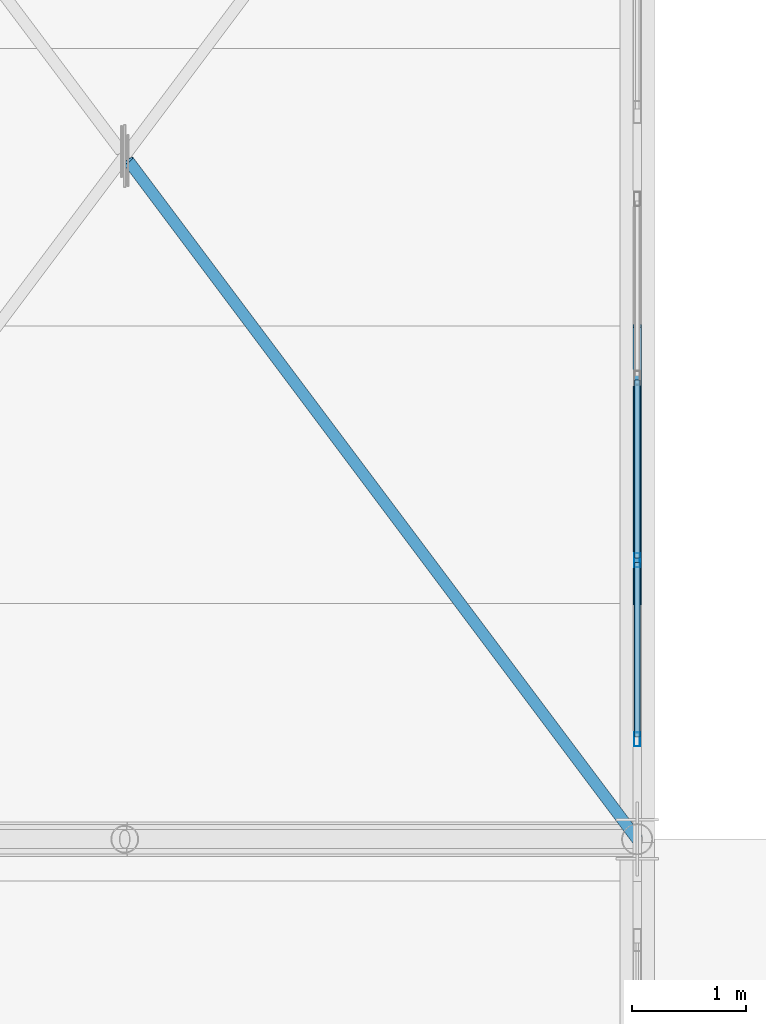
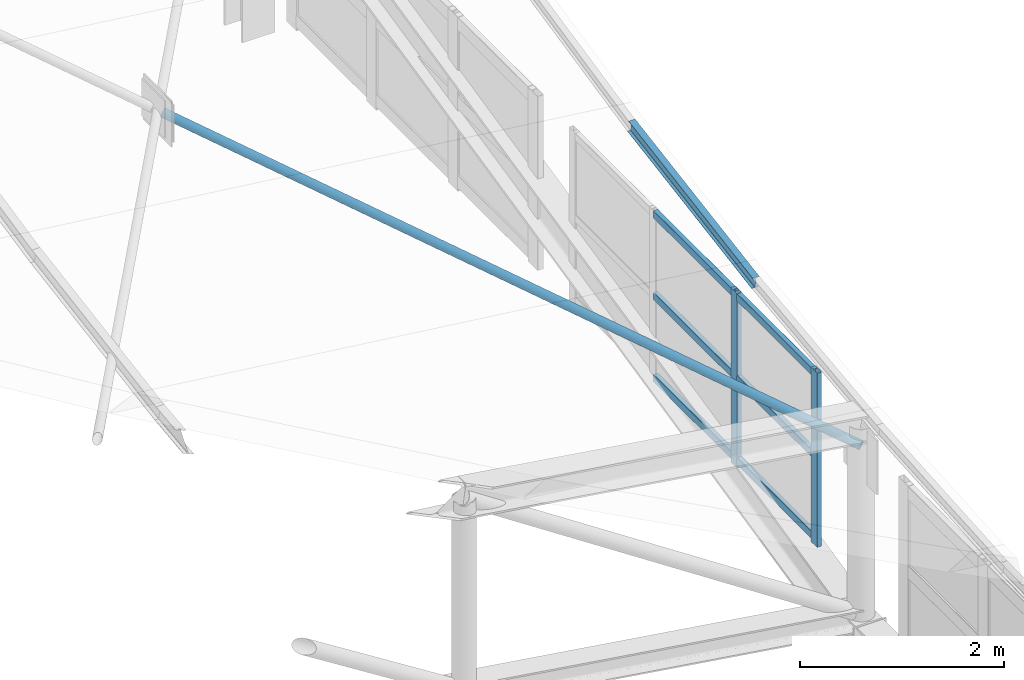
# One storey, part 124 of 262: 10 members, 1 element without a shape of its own.
"""IFC4 building model written with IfcOpenShell, lengths in metres."""

from ifc_helpers import new_model, si_unit, derived_unit, direction, frame, origin, origin_2d, place, context, subcontext, project, spatial, hollow_rectangle, hollow_circle, i_section, extrude, material, layer, layer_set, material_profile, profile_set, type_object, element, aggregate, save


model = new_model("IFC4")

# Units and contexts
model_context = context("Model", 3, precision=1e-05, world=origin(), true_north=direction((0.0, 1.0)))
body_context = subcontext(model_context, "Body", "Model", "MODEL_VIEW")
ifc_project = project(units=[si_unit("LENGTHUNIT", "METRE"), si_unit("AREAUNIT", "SQUARE_METRE"), si_unit("VOLUMEUNIT", "CUBIC_METRE"), si_unit("PLANEANGLEUNIT", "RADIAN"), si_unit("MASSUNIT", "GRAM", prefix="KILO"), derived_unit("THERMALTRANSMITTANCEUNIT", [(si_unit("POWERUNIT", "WATT"), 1), (si_unit("LENGTHUNIT", "METRE"), -2), (si_unit("THERMODYNAMICTEMPERATUREUNIT", "KELVIN"), -1)])], contexts=[model_context])

# Site, building, storey
site_placement = place(None, origin())
site = spatial("IfcSite", under=ifc_project, at=site_placement, CompositionType="ELEMENT")
building_placement = place(site_placement, origin())
building = spatial("IfcBuilding", under=site, at=building_placement, Name="Almenara Railside Exhibition Hall", CompositionType="ELEMENT")
storey_placement = place(building_placement, frame((0.0, 0.0, 21.699951171875)))
storey = spatial("IfcBuildingStorey", under=building, at=storey_placement, Name="RF", CompositionType="ELEMENT", Elevation=21.699951171875)

# Member
ifc_material_1 = material(Name="Structural steel S355JR", Category="steel")
ifc_material_profile_1 = material_profile(ifc_material_1, i_section(OverallWidth=0.072998046875, OverallDepth=0.139892578125, WebThickness=0.004638671875, FlangeThickness=0.0068359375, FilletRadius=0.007080078125, at=origin_2d()), Name="IPE 140")
ifc_profile_set_1 = profile_set([ifc_material_profile_1], Name="Structural steel S355JR")
member_type_1 = type_object("IfcMemberType", Name="Canopy Edge Purlin IPE 140 S355JR", PredefinedType="PURLIN", material=ifc_profile_set_1)
member_1_placement = place(storey_placement, frame((66.0, 110.069580078125, 0.578125), z_axis=(0.0, 0.986465951297, 0.163966237171), x_axis=(-1.0, 0.0, 0.0)))
element("IfcMember", 1, at=member_1_placement, inside=storey, type_object=member_type_1, Name="MEM-PR-V1-PR-IPE140-08-19", PredefinedType="PURLIN", context=body_context, shape_type="SweptSolid", body=[
    extrude(i_section(OverallWidth=0.072998046875, OverallDepth=0.139892578125, WebThickness=0.004638671875, FlangeThickness=0.0068359375, FilletRadius=0.007080078125, at=origin_2d()), origin(), (0.0, 0.0, 1.0), 2.47021484375),
])

# Curtain wall, members
ifc_material_2 = material(Name="Bronze-anodised aluminium and low-E double glazing", Category="aluminium")
ifc_layer = layer(ifc_material_2, 0.179931640625, Name="Bronze-anodised aluminium and low-E double glazing")
ifc_layer_set = layer_set([ifc_layer], Name="Bronze-anodised aluminium and low-E double glazing")
curtain_wall_type = type_object("IfcCurtainWallType", Name="West Hall Clerestory Curtain Wall 4200x2400", PredefinedType="NOTDEFINED", material=ifc_layer_set)
curtain_wall_placement = place(storey_placement, origin())
curtain_wall = element("IfcCurtainWall", 2, at=curtain_wall_placement, inside=storey, type_object=curtain_wall_type, Name="Curtain wall CW-CL1-190", PredefinedType="NOTDEFINED")
ifc_material_3 = material(Name="Bronze-anodised aluminium", Category="aluminium")
ifc_material_profile_2 = material_profile(ifc_material_3, hollow_rectangle(XDim=0.054931640625, YDim=0.125, WallThickness=0.0029296875, InnerFilletRadius=0.0029296875, OuterFilletRadius=0.006103515625, at=origin_2d()), Name="ALU-MUL 55x125x3")
ifc_profile_set_2 = profile_set([ifc_material_profile_2], Name="Bronze-anodised aluminium")
member_type_2 = type_object("IfcMemberType", Name="Curtain Wall Mullion 55x125x3", PredefinedType="MULLION", material=ifc_profile_set_2)
member_2_placement = place(storey_placement, frame((66.0, 108.87744140625, -1.824951171875), z_axis=(0.0, 0.0, 1.0), x_axis=(-1.0, 0.0, 0.0)))
member_2 = element("IfcMember", 3, at=member_2_placement, type_object=member_type_2, Name="CW-CL1-190 mullion 1", PredefinedType="MULLION", context=body_context, shape_type="SweptSolid", body=[
    extrude(hollow_rectangle(XDim=0.054931640625, YDim=0.125, WallThickness=0.0029296875, InnerFilletRadius=0.0029296875, OuterFilletRadius=0.006103515625, at=origin_2d()), origin(), (0.0, 0.0, 1.0), 2.0849609375),
])
member_3_placement = place(storey_placement, frame((66.0, 110.449951171875, -1.824951171875), z_axis=(0.0, 0.0, 1.0), x_axis=(-1.0, 0.0, 0.0)))
member_3 = element("IfcMember", 4, at=member_3_placement, type_object=member_type_2, Name="CW-CL1-190 mullion 2", PredefinedType="MULLION", context=body_context, shape_type="SweptSolid", body=[
    extrude(hollow_rectangle(XDim=0.054931640625, YDim=0.125, WallThickness=0.0029296875, InnerFilletRadius=0.0029296875, OuterFilletRadius=0.006103515625, at=origin_2d()), origin(), (0.0, 0.0, 1.0), 2.0849609375),
])
ifc_material_profile_3 = material_profile(ifc_material_3, hollow_rectangle(XDim=0.054931640625, YDim=0.090087890625, WallThickness=0.0029296875, InnerFilletRadius=0.0029296875, OuterFilletRadius=0.006103515625, at=origin_2d()), Name="ALU-TRN 55x90x3")
ifc_profile_set_3 = profile_set([ifc_material_profile_3], Name="Bronze-anodised aluminium")
member_type_3 = type_object("IfcMemberType", Name="Curtain Wall Transom 55x90x3", PredefinedType="USERDEFINED", material=ifc_profile_set_3)
member_4_placement = place(storey_placement, frame((66.0, 108.89697265625, -1.744873046875), z_axis=(0.0, 1.0, 0.0), x_axis=(-1.0, 0.0, 0.0)))
member_4 = element("IfcMember", 5, at=member_4_placement, type_object=member_type_3, Name="CW-CL1-190 transom 1.1", ObjectType="TRANSOM", PredefinedType="USERDEFINED", context=body_context, shape_type="SweptSolid", body=[
    extrude(hollow_rectangle(XDim=0.054931640625, YDim=0.090087890625, WallThickness=0.0029296875, InnerFilletRadius=0.0029296875, OuterFilletRadius=0.006103515625, at=origin_2d()), origin(), (0.0, 0.0, 1.0), 1.533447265625),
])
member_5_placement = place(storey_placement, frame((66.0, 108.89697265625, -0.764892578125), z_axis=(0.0, 1.0, 0.0), x_axis=(-1.0, 0.0, 0.0)))
member_5 = element("IfcMember", 6, at=member_5_placement, type_object=member_type_3, Name="CW-CL1-190 transom 1.2", ObjectType="TRANSOM", PredefinedType="USERDEFINED", context=body_context, shape_type="SweptSolid", body=[
    extrude(hollow_rectangle(XDim=0.054931640625, YDim=0.090087890625, WallThickness=0.0029296875, InnerFilletRadius=0.0029296875, OuterFilletRadius=0.006103515625, at=origin_2d()), origin(), (0.0, 0.0, 1.0), 1.533447265625),
])
member_6_placement = place(storey_placement, frame((66.0, 108.89697265625, 0.215087890625), z_axis=(0.0, 1.0, 0.0), x_axis=(-1.0, 0.0, 0.0)))
member_6 = element("IfcMember", 7, at=member_6_placement, type_object=member_type_3, Name="CW-CL1-190 transom 1.3", ObjectType="TRANSOM", PredefinedType="USERDEFINED", context=body_context, shape_type="SweptSolid", body=[
    extrude(hollow_rectangle(XDim=0.054931640625, YDim=0.090087890625, WallThickness=0.0029296875, InnerFilletRadius=0.0029296875, OuterFilletRadius=0.006103515625, at=origin_2d()), origin(), (0.0, 0.0, 1.0), 1.533447265625),
])
member_7_placement = place(storey_placement, frame((66.0, 110.469482421875, -1.744873046875), z_axis=(0.0, 1.0, 0.0), x_axis=(-1.0, 0.0, 0.0)))
member_7 = element("IfcMember", 8, at=member_7_placement, type_object=member_type_3, Name="CW-CL1-190 transom 2.1", ObjectType="TRANSOM", PredefinedType="USERDEFINED", context=body_context, shape_type="SweptSolid", body=[
    extrude(hollow_rectangle(XDim=0.054931640625, YDim=0.090087890625, WallThickness=0.0029296875, InnerFilletRadius=0.0029296875, OuterFilletRadius=0.006103515625, at=origin_2d()), origin(), (0.0, 0.0, 1.0), 1.56103515625),
])
member_8_placement = place(storey_placement, frame((66.0, 110.469482421875, -0.764892578125), z_axis=(0.0, 1.0, 0.0), x_axis=(-1.0, 0.0, 0.0)))
member_8 = element("IfcMember", 9, at=member_8_placement, type_object=member_type_3, Name="CW-CL1-190 transom 2.2", ObjectType="TRANSOM", PredefinedType="USERDEFINED", context=body_context, shape_type="SweptSolid", body=[
    extrude(hollow_rectangle(XDim=0.054931640625, YDim=0.090087890625, WallThickness=0.0029296875, InnerFilletRadius=0.0029296875, OuterFilletRadius=0.006103515625, at=origin_2d()), origin(), (0.0, 0.0, 1.0), 1.56103515625),
])
member_9_placement = place(storey_placement, frame((66.0, 110.469482421875, 0.215087890625), z_axis=(0.0, 1.0, 0.0), x_axis=(-1.0, 0.0, 0.0)))
member_9 = element("IfcMember", 10, at=member_9_placement, type_object=member_type_3, Name="CW-CL1-190 transom 2.3", ObjectType="TRANSOM", PredefinedType="USERDEFINED", context=body_context, shape_type="SweptSolid", body=[
    extrude(hollow_rectangle(XDim=0.054931640625, YDim=0.090087890625, WallThickness=0.0029296875, InnerFilletRadius=0.0029296875, OuterFilletRadius=0.006103515625, at=origin_2d()), origin(), (0.0, 0.0, 1.0), 1.56103515625),
])
aggregate(curtain_wall, [member_2, member_3, member_4, member_5, member_6, member_7, member_8, member_9])

# Member
ifc_material_profile_4 = material_profile(ifc_material_1, hollow_circle(Radius=0.05078125, WallThickness=0.00390625, at=origin_2d()), Name="CHS 101.6x4")
ifc_profile_set_4 = profile_set([ifc_material_profile_4], Name="Structural steel S355JR")
member_type_4 = type_object("IfcMemberType", Name="Scroll Wind Plan Brace CHS 101.6x4 S355JR", PredefinedType="BRACE", material=ifc_profile_set_4)
member_10_placement = place(storey_placement, frame((66.0, 108.0, -0.115234375), z_axis=(-0.580716303598, 0.774267251688, 0.25155277319), x_axis=(-0.799992131801, -0.600010490789, 0.0)))
element("IfcMember", 11, at=member_10_placement, inside=storey, type_object=member_type_4, Name="MEM-WB-V1-WB-CHS102-05-10-S1", PredefinedType="BRACE", context=body_context, shape_type="SweptSolid", body=[
    extrude(hollow_circle(Radius=0.05078125, WallThickness=0.00390625, at=origin_2d()), origin(), (0.0, 0.0, 1.0), 7.6943359375),
])

save(model, "model.ifc")
